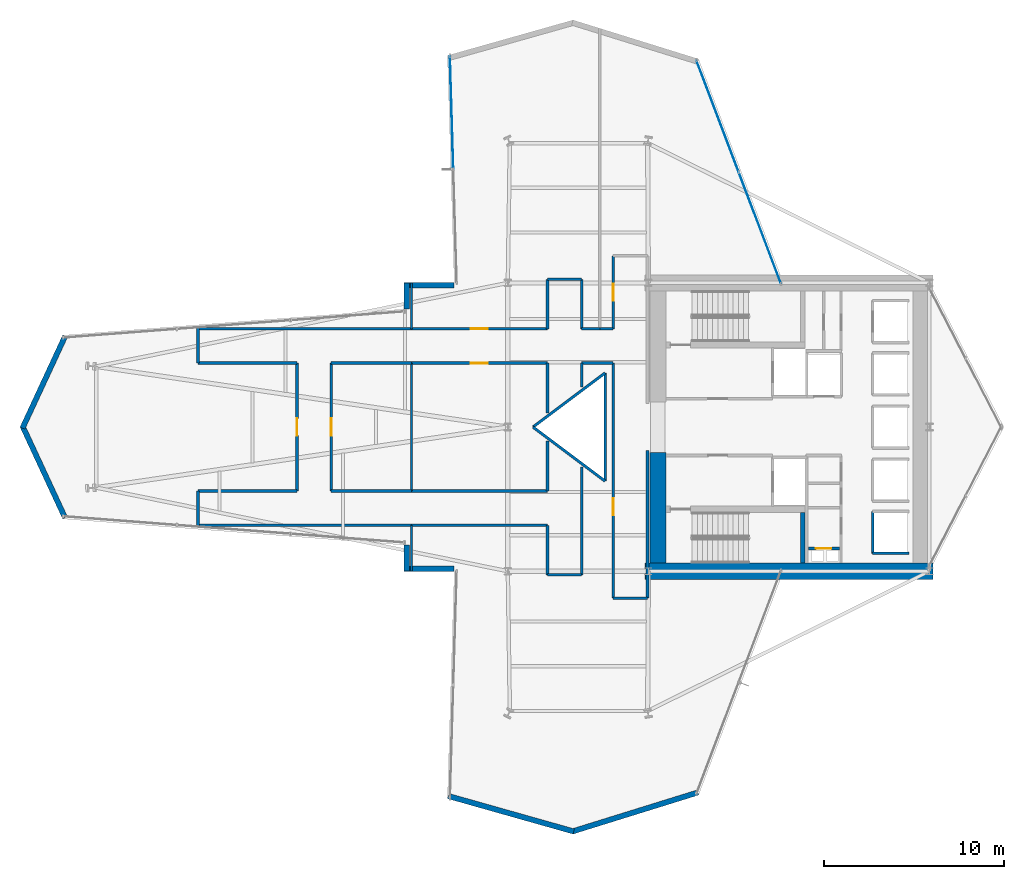
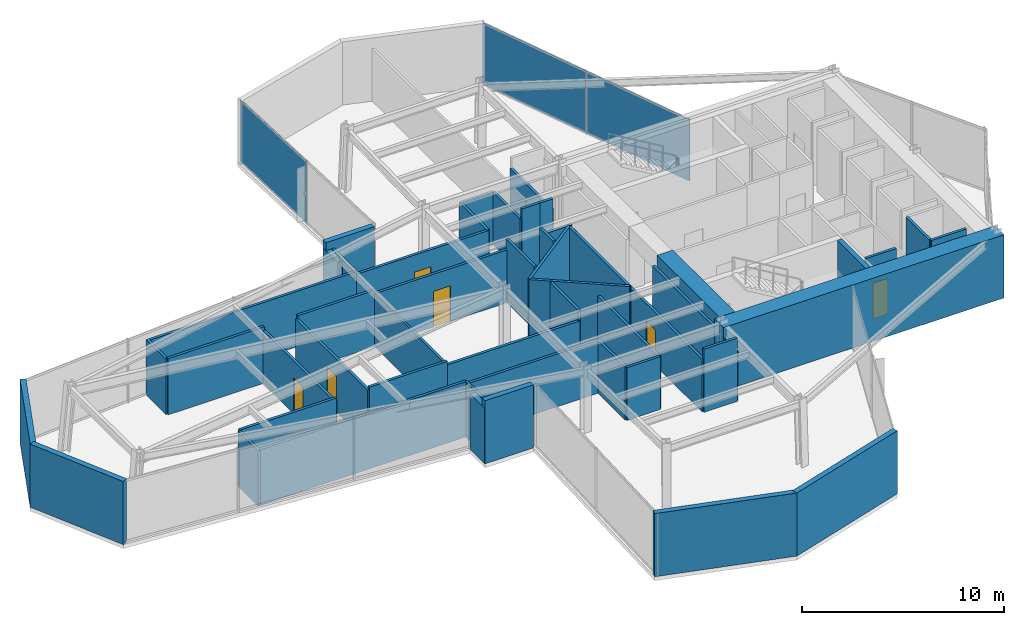
# One storey, part 25 of 28: 50 walls, 7 doors, 3 plates, 7 openings, 2 elements without a shape of their own.
"""IFC4 building model written with IfcOpenShell, lengths in metres."""

import ifcopenshell
import ifcopenshell.guid

model = None  # the IFC model being written
_history = None  # IfcOwnerHistory: only IFC2X3 demands one
_inside = {}  # id of a spatial element -> (the spatial element, [elements in it])
_under = {}  # id of a project, library or spatial element -> (it, [spatial elements below it])
_declared = {}  # id of a project -> (the project, [libraries it declares])
_typed = {}  # id of a type object -> (the type object, [elements of that type])
_made_of = {}  # id of a material, layer set ... -> (it, [elements and type objects made of it])


def new_model(schema):
    """Start an empty IFC model of exactly this schema.

    Asked for "IFC4X3", IfcOpenShell would pick the latest addendum, in which some entities
    have other attributes; the version numbers below select the first issue.
    IFC2X3 requires an IfcOwnerHistory on every rooted entity: one is made here for all.
    """
    global model, _history
    if schema == "IFC4X3":
        model = ifcopenshell.file(schema_version=(4, 3, 0, 0))
    else:
        model = ifcopenshell.file(schema=schema)
    _inside.clear()
    _under.clear()
    _declared.clear()
    _typed.clear()
    _made_of.clear()
    _history = None
    if model.schema == "IFC2X3":
        org = make("IfcOrganization", Name="unknown")
        user = make(
            "IfcPersonAndOrganization",
            ThePerson=make("IfcPerson", FamilyName="unknown"),
            TheOrganization=org,
        )
        app = make(
            "IfcApplication",
            ApplicationDeveloper=org,
            Version="unknown",
            ApplicationFullName="unknown",
            ApplicationIdentifier="unknown",
        )
        _history = make(
            "IfcOwnerHistory",
            OwningUser=user,
            OwningApplication=app,
            ChangeAction="ADDED",
            CreationDate=0,
        )
    return model


def make(cls, **values):
    """One entity of the class cls with the attributes given. An attribute that is None is left unset."""
    return model.create_entity(
        cls, **{name: value for name, value in values.items() if value is not None}
    )


def rooted(cls, **values):
    """An entity with a GlobalId (a new one), such as an element, a storey or a relation."""
    return make(cls, GlobalId=ifcopenshell.guid.new(), OwnerHistory=_history, **values)


def si_unit(unit_type, name, prefix=None):
    """IfcSIUnit, for example si_unit("LENGTHUNIT", "METRE", prefix="MILLI")."""
    return make("IfcSIUnit", UnitType=unit_type, Prefix=prefix, Name=name)


def assignment(units):
    """IfcUnitAssignment: the units of a project."""
    return None if units is None else make("IfcUnitAssignment", Units=units)


def point(xyz):
    """IfcCartesianPoint."""
    return None if xyz is None else make("IfcCartesianPoint", Coordinates=xyz)


def direction(xyz):
    """IfcDirection."""
    return None if xyz is None else make("IfcDirection", DirectionRatios=xyz)


def frame(location, z_axis=None, x_axis=None):
    """IfcAxis2Placement3D, a coordinate frame: its origin and axes. An axis left out is left unset."""
    return make(
        "IfcAxis2Placement3D",
        Location=point(location),
        Axis=direction(z_axis),
        RefDirection=direction(x_axis),
    )


def frame_2d(location, x_axis=None):
    """IfcAxis2Placement2D, a coordinate frame in the plane: its origin and x axis."""
    return make(
        "IfcAxis2Placement2D", Location=point(location), RefDirection=direction(x_axis)
    )


def origin():
    """The frame at (0, 0, 0) with its axes left unset."""
    return frame((0.0, 0.0, 0.0))


def origin_2d():
    """The frame at (0, 0) in the plane with its x axis left unset."""
    return frame_2d((0.0, 0.0))


def place(relative_to, where):
    """IfcLocalPlacement: puts the frame where relative to a parent placement (None: the world)."""
    return make(
        "IfcLocalPlacement", PlacementRelTo=relative_to, RelativePlacement=where
    )


def context(
    kind, dimensions, precision=None, world=None, true_north=None, identifier=None
):
    """IfcGeometricRepresentationContext, for example the 3D "Model" context."""
    return make(
        "IfcGeometricRepresentationContext",
        ContextIdentifier=identifier,
        ContextType=kind,
        CoordinateSpaceDimension=dimensions,
        Precision=precision,
        WorldCoordinateSystem=world,
        TrueNorth=true_north,
    )


def subcontext(parent, identifier, kind, view, scale=None):
    """IfcGeometricRepresentationSubContext, for example "Body" below "Model"."""
    return make(
        "IfcGeometricRepresentationSubContext",
        ContextIdentifier=identifier,
        ContextType=kind,
        ParentContext=parent,
        TargetScale=scale,
        TargetView=view,
    )


def project(units=None, contexts=None):
    """IfcProject with its units and contexts."""
    return rooted(
        "IfcProject",
        Name="project",
        RepresentationContexts=contexts,
        UnitsInContext=assignment(units),
    )


def spatial(cls, under=None, at=None, **own):
    """A site, building, storey or space (cls), placed at a placement, below another one or the project."""
    s = rooted(cls, ObjectPlacement=at, **own)
    if under is not None:
        _under.setdefault(under.id(), (under, []))[1].append(s)
    return s


def profile(cls, at=None, kind="AREA", **sizes):
    """A parametric profile (cls). Its sizes go by their IFC names, for example OverallWidth=200.0."""
    return make(cls, ProfileType=kind, Position=at, **sizes)


def rectangle(**sizes):
    """IfcRectangleProfileDef."""
    return profile("IfcRectangleProfileDef", **sizes)


def extrude(swept, where, along, depth):
    """IfcExtrudedAreaSolid: the profile swept, set in the frame where, extruded along a direction by depth."""
    return make(
        "IfcExtrudedAreaSolid",
        SweptArea=swept,
        Position=where,
        ExtrudedDirection=direction(along),
        Depth=depth,
    )


def shape(context_of_items, identifier, shape_type, items):
    """IfcShapeRepresentation: the items that make up one representation, for example the "Body"."""
    return make(
        "IfcShapeRepresentation",
        ContextOfItems=context_of_items,
        RepresentationIdentifier=identifier,
        RepresentationType=shape_type,
        Items=items,
    )


def material(Name=None, Category=None):
    """IfcMaterial."""
    return make("IfcMaterial", Name=Name, Category=Category)


def layer(
    of_material, thickness, ventilated=None, Name=None, Category=None, Priority=None
):
    """IfcMaterialLayer: one layer of a wall or slab, of a material (None: an air gap)."""
    return make(
        "IfcMaterialLayer",
        Material=of_material,
        LayerThickness=thickness,
        IsVentilated=ventilated,
        Name=Name,
        Category=Category,
        Priority=Priority,
    )


def layer_set(layers, Name=None):
    """IfcMaterialLayerSet."""
    return make("IfcMaterialLayerSet", MaterialLayers=layers, LayerSetName=Name)


def made_of(thing, what):
    """Note that an element or type object is made of a material, layer set ...; save() writes the relation."""
    if what is not None:
        _made_of.setdefault(what.id(), (what, []))[1].append(thing)
    return thing


def type_object(cls, material=None, **own):
    """A type object (cls), such as IfcWallType, which elements share."""
    return made_of(rooted(cls, **own), material)


def element(
    cls,
    number,
    at=None,
    inside=None,
    cuts=None,
    type_object=None,
    material=None,
    context=None,
    identifier="Body",
    shape_type=None,
    held_by="IfcProductDefinitionShape",
    body=None,
    shapes=None,
    **own,
):
    """One element of the class cls, such as IfcWall. Its Tag is "e" and its number.

    at: its placement. inside: the storey or other place that contains it. cuts: it is an
    opening in that element (IfcRelVoidsElement). A single representation is given by context,
    identifier, shape_type and body (its items); several are given by shapes. held_by: the class
    of the entity that holds the representations. save() writes the other relations.
    """
    e = rooted(cls, Tag="e%d" % number, ObjectPlacement=at, **own)
    if body is not None:
        shapes = [shape(context, identifier, shape_type, body)]
    if shapes is not None:
        e.Representation = make(held_by, Representations=shapes)
    if inside is not None:
        _inside.setdefault(inside.id(), (inside, []))[1].append(e)
    if cuts is not None:
        rooted(
            "IfcRelVoidsElement", RelatingBuildingElement=cuts, RelatedOpeningElement=e
        )
    if type_object is not None:
        _typed.setdefault(type_object.id(), (type_object, []))[1].append(e)
    return made_of(e, material)


def fill(opening, filler):
    """IfcRelFillsElement: the door or window that sits in an opening."""
    return rooted(
        "IfcRelFillsElement",
        RelatingOpeningElement=opening,
        RelatedBuildingElement=filler,
    )


def aggregate(whole, parts):
    """IfcRelAggregates: a whole, such as a stair, and the parts it consists of."""
    return rooted("IfcRelAggregates", RelatingObject=whole, RelatedObjects=parts)


def save(model, path):
    """Write the relations noted so far, then the file.

    IfcRelAggregates (storeys below a building ...), IfcRelContainedInSpatialStructure (elements
    in a storey), IfcRelDefinesByType, IfcRelAssociatesMaterial and IfcRelDeclares: one each for
    every whole, place, type object, material and project.
    """
    for whole, parts in _under.values():
        aggregate(whole, parts)
    for where, things in _inside.values():
        rooted(
            "IfcRelContainedInSpatialStructure",
            RelatedElements=things,
            RelatingStructure=where,
        )
    for kind, things in _typed.values():
        rooted("IfcRelDefinesByType", RelatedObjects=things, RelatingType=kind)
    for what, things in _made_of.values():
        rooted("IfcRelAssociatesMaterial", RelatedObjects=things, RelatingMaterial=what)
    for by, libraries in _declared.values():
        rooted("IfcRelDeclares", RelatingContext=by, RelatedDefinitions=libraries)
    model.write(path)


model = new_model("IFC4")

# Units and contexts
model_context = context("Model", 3, precision=1e-05, world=origin(), true_north=direction((0.0, 1.0)))
body_context = subcontext(model_context, "Body", "Model", "MODEL_VIEW")
ifc_project = project(units=[si_unit("LENGTHUNIT", "METRE"), si_unit("AREAUNIT", "SQUARE_METRE"), si_unit("VOLUMEUNIT", "CUBIC_METRE"), si_unit("PLANEANGLEUNIT", "RADIAN"), si_unit("MASSUNIT", "GRAM", prefix="KILO")], contexts=[model_context])

# Site, building, storey
site_placement = place(None, origin())
site = spatial("IfcSite", under=ifc_project, at=site_placement, CompositionType="ELEMENT")
building_placement = place(site_placement, origin())
building = spatial("IfcBuilding", under=site, at=building_placement, Name="Veymaron Broadcast Tower", CompositionType="ELEMENT")
storey_placement = place(building_placement, frame((0.0, 0.0, 45.89990234375)))
storey = spatial("IfcBuildingStorey", under=building, at=storey_placement, Name="L09", CompositionType="ELEMENT", Elevation=45.89990234375)

# Curtain wall, plates
ifc_material_1 = material(Name="Anodised aluminium AA 6063-T6 and laminated low-E dark glass", Category="aluminium")
ifc_layer_1 = layer(ifc_material_1, 0.179931640625)
ifc_layer_set_1 = layer_set([ifc_layer_1], Name="Anodised aluminium AA 6063-T6 and laminated low-E dark glass")
curtain_wall_type = type_object("IfcCurtainWallType", Name="CW-SYS-02", PredefinedType="NOTDEFINED", material=ifc_layer_set_1)
curtain_wall_1_placement = place(storey_placement, origin())
curtain_wall_1 = element("IfcCurtainWall", 1, at=curtain_wall_1_placement, inside=storey, type_object=curtain_wall_type, Name="L09 dark-glass curtain wall CW-L09-E5-1", PredefinedType="NOTDEFINED")
ifc_material_2 = material(Name="Double-silver solar-control dark glass IGU 32 mm", Category="glass")
ifc_layer_2 = layer(ifc_material_2, 0.031982421875)
ifc_layer_set_2 = layer_set([ifc_layer_2], Name="Double-silver solar-control dark glass IGU 32 mm")
plate_type = type_object("IfcPlateType", Name="CW-PNL-02", PredefinedType="CURTAIN_PANEL", material=ifc_layer_set_2)
plate_1_placement = place(storey_placement, frame((45.1904296875, 35.053955078125, 0.0400390625), z_axis=(0.0, 0.0, 1.0), x_axis=(-0.354225752381, 0.935159941588, 0.0)))
plate_1 = element("IfcPlate", 2, at=plate_1_placement, type_object=plate_type, Name="CW-L09-E5-1 unitised curtain panel 0", PredefinedType="CURTAIN_PANEL", context=body_context, shape_type="SweptSolid", body=[
    extrude(rectangle(XDim=6.577392578125, YDim=0.031982421875, at=origin_2d()), origin(), (0.0, 0.0, 1.0), 3.72998046875),
])
plate_2_placement = place(storey_placement, frame((42.83935546875, 41.260986328125, 0.0400390625), z_axis=(0.0, 0.0, 1.0), x_axis=(-0.354225752381, 0.935159941588, 0.0)))
plate_2 = element("IfcPlate", 3, at=plate_2_placement, type_object=plate_type, Name="CW-L09-E5-1 unitised curtain panel 1", PredefinedType="CURTAIN_PANEL", context=body_context, shape_type="SweptSolid", body=[
    extrude(rectangle(XDim=6.577392578125, YDim=0.031982421875, at=origin_2d()), origin(), (0.0, 0.0, 1.0), 3.72998046875),
])
aggregate(curtain_wall_1, [plate_1, plate_2])

# Curtain wall, plate
curtain_wall_2_placement = place(storey_placement, origin())
curtain_wall_2 = element("IfcCurtainWall", 4, at=curtain_wall_2_placement, inside=storey, type_object=curtain_wall_type, Name="L09 dark-glass curtain wall CW-L09-E8-1", PredefinedType="NOTDEFINED")
plate_3_placement = place(storey_placement, frame((28.081298828125, 41.46240234375, 0.0400390625), z_axis=(0.0, 0.0, 1.0), x_axis=(0.029858145254, -0.999554146188, 0.0)))
plate_3 = element("IfcPlate", 5, at=plate_3_placement, type_object=plate_type, Name="CW-L09-E8-1 unitised curtain panel 0", PredefinedType="CURTAIN_PANEL", context=body_context, shape_type="SweptSolid", body=[
    extrude(rectangle(XDim=6.248291015625, YDim=0.031982421875, at=origin_2d()), origin(), (0.0, 0.0, 1.0), 3.72998046875),
])
aggregate(curtain_wall_2, [plate_3])

# Walls
ifc_material_3 = material(Name="Precast concrete C40/50 with mineral-wool insulation", Category="concrete")
ifc_layer_3 = layer(ifc_material_3, 0.300048828125)
ifc_layer_set_3 = layer_set([ifc_layer_3], Name="Precast concrete C40/50 with mineral-wool insulation")
wall_type_1 = type_object("IfcWallType", Name="WALL-EXT-300", PredefinedType="STANDARD", material=ifc_layer_set_3)
wall_1_placement = place(storey_placement, frame((28.22412109375, 31.860107421875, 0.0), z_axis=(0.0, 0.0, 1.0), x_axis=(-1.0, 0.0, 0.0)))
element("IfcWall", 6, at=wall_1_placement, inside=storey, type_object=wall_type_1, Name="L09 notched corner facade pier 9-1", PredefinedType="STANDARD", context=body_context, shape_type="SweptSolid", body=[
    extrude(rectangle(XDim=2.776123046875, YDim=0.300048828125, at=frame_2d((1.38818359375, 0.0))), origin(), (0.0, 0.0, 1.0), 3.81005859375),
])
wall_2_placement = place(storey_placement, frame((25.587890625, 32.0, 0.0), z_axis=(0.0, 0.0, 1.0), x_axis=(0.0, -1.0, 0.0)))
element("IfcWall", 7, at=wall_2_placement, inside=storey, type_object=wall_type_1, Name="L09 notched corner facade pier 10-1", PredefinedType="STANDARD", context=body_context, shape_type="SweptSolid", body=[
    extrude(rectangle(XDim=1.4482421875, YDim=0.300048828125, at=frame_2d((0.72412109375, 0.0))), origin(), (0.0, 0.0, 1.0), 3.338134765625),
])
for number, where, z_axis, x_axis, name in (
    (8, (6.626953125, 29.037109375, 0.0), (0.0, 0.0, 1.0), (-0.420823983626, -0.907142312322, 0.0), "L09 notched corner facade pier 12-1"),
    (9, (4.262939453125, 24.058837890625, 0.0), (0.0, 0.0, 1.0), (0.420823983626, -0.907142312322, 0.0), "L09 notched corner facade pier 13-1"),
):
    element("IfcWall", number, at=place(storey_placement, frame(where, z_axis=z_axis, x_axis=x_axis)), inside=storey, type_object=wall_type_1, Name=name, PredefinedType="STANDARD", context=body_context, shape_type="SweptSolid", body=[
        extrude(rectangle(XDim=5.61767578125, YDim=0.300048828125, at=frame_2d((2.808837890625, 0.0))), origin(), (0.0, 0.0, 1.0), 3.81005859375),
    ])
wall_3_placement = place(storey_placement, frame((25.587890625, 17.4482421875, 0.0), z_axis=(0.0, 0.0, 1.0), x_axis=(0.0, -1.0, 0.0)))
element("IfcWall", 10, at=wall_3_placement, inside=storey, type_object=wall_type_1, Name="L09 notched corner facade pier 15-1", PredefinedType="STANDARD", context=body_context, shape_type="SweptSolid", body=[
    extrude(rectangle(XDim=1.4482421875, YDim=0.300048828125, at=frame_2d((0.72412109375, 0.0))), origin(), (0.0, 0.0, 1.0), 3.338134765625),
])
wall_4_placement = place(storey_placement, frame((25.447998046875, 16.139892578125, 0.0), z_axis=(0.0, 0.0, 1.0), x_axis=(1.0, 0.0, 0.0)))
element("IfcWall", 11, at=wall_4_placement, inside=storey, type_object=wall_type_1, Name="L09 notched corner facade pier 16-1", PredefinedType="STANDARD", context=body_context, shape_type="SweptSolid", body=[
    extrude(rectangle(XDim=2.776123046875, YDim=0.300048828125, at=frame_2d((1.38818359375, 0.0))), origin(), (0.0, 0.0, 1.0), 3.81005859375),
])
wall_5_placement = place(storey_placement, frame((27.885498046875, 3.523681640625, 0.0), z_axis=(0.0, 0.0, 1.0), x_axis=(0.962339681863, -0.271849842212, 0.0)))
element("IfcWall", 12, at=wall_5_placement, inside=storey, type_object=wall_type_1, Name="L09 notched corner facade pier 18-1", PredefinedType="STANDARD", context=body_context, shape_type="SweptSolid", body=[
    extrude(rectangle(XDim=7.24658203125, YDim=0.300048828125, at=frame_2d((3.623291015625, 0.0))), origin(), (0.0, 0.0, 1.0), 3.81005859375),
])
wall_6_placement = place(storey_placement, frame((34.779541015625, 1.552734375, 0.0), z_axis=(0.0, 0.0, 1.0), x_axis=(0.954957033511, 0.296744105498, 0.0)))
element("IfcWall", 13, at=wall_6_placement, inside=storey, type_object=wall_type_1, Name="L09 notched corner facade pier 19-1", PredefinedType="STANDARD", context=body_context, shape_type="SweptSolid", body=[
    extrude(rectangle(XDim=7.302490234375, YDim=0.300048828125, at=frame_2d((3.6513671875, 0.0))), origin(), (0.0, 0.0, 1.0), 3.81005859375),
])
ifc_material_4 = material(Name="Gypsum fireboard and steel stud framing", Category="steel")
ifc_layer_4 = layer(ifc_material_4, 0.14990234375)
ifc_layer_set_4 = layer_set([ifc_layer_4], Name="Gypsum fireboard and steel stud framing")
wall_type_2 = type_object("IfcWallType", Name="WALL-FIRE-150", PredefinedType="PARTITIONING", material=ifc_layer_set_4)
wall_7_placement = place(storey_placement, frame((51.445068359375, 16.989990234375, 0.0), z_axis=(0.0, 0.0, 1.0), x_axis=(0.0, 1.0, 0.0)))
element("IfcWall", 14, at=wall_7_placement, inside=storey, type_object=wall_type_2, Name="L09 partition IW-L09-SHW-PH1", PredefinedType="PARTITIONING", context=body_context, shape_type="SweptSolid", body=[
    extrude(rectangle(XDim=2.320068359375, YDim=0.14990234375, at=frame_2d((1.16015625, 0.0))), origin(), (0.0, 0.0, 1.0), 3.81005859375),
])
wall_8_placement = place(storey_placement, frame((51.445068359375, 16.989990234375, 0.0), z_axis=(0.0, 0.0, 1.0), x_axis=(1.0, 0.0, 0.0)))
element("IfcWall", 15, at=wall_8_placement, inside=storey, type_object=wall_type_2, Name="L09 partition IW-L09-SHS-PH1", PredefinedType="PARTITIONING", context=body_context, shape_type="SweptSolid", body=[
    extrude(rectangle(XDim=2.014892578125, YDim=0.14990234375, at=frame_2d((1.00732421875, 0.0))), origin(), (0.0, 0.0, 1.0), 3.81005859375),
])

# Wall, opening, door
wall_9_placement = place(storey_placement, frame((47.8798828125, 17.260009765625, 0.0), z_axis=(0.0, 0.0, 1.0), x_axis=(1.0, 0.0, 0.0)))
wall_9 = element("IfcWall", 16, at=wall_9_placement, inside=storey, type_object=wall_type_2, Name="L09 partition IW-L09-RIS-N", PredefinedType="PARTITIONING", context=body_context, shape_type="SweptSolid", body=[
    extrude(rectangle(XDim=1.72021484375, YDim=0.14990234375, at=frame_2d((0.860107421875, 0.0))), origin(), (0.0, 0.0, 1.0), 3.81005859375),
])
opening_1_placement = place(wall_9_placement, frame((0.419921875, 0.0, 0.0)))
opening_1 = element("IfcOpeningElement", 17, at=opening_1_placement, cuts=wall_9, Name="Opening ID-RS1", PredefinedType="OPENING", context=body_context, shape_type="SweptSolid", body=[
    extrude(rectangle(XDim=0.85009765625, YDim=2.14990234375, at=frame_2d((0.425048828125, 1.074951171875))), frame((0.0, 0.0849609375, 0.0), z_axis=(0.0, -1.0, 0.0), x_axis=(1.0, 0.0, 0.0)), (0.0, 0.0, 1.0), 0.169921875),
])
ifc_material_5 = material(Name="Fire-rated powder-coated steel riser leaf", Category="steel")
door_type_1 = type_object("IfcDoorType", Name="DOOR-RIS-850", OperationType="NOTDEFINED", PredefinedType="TRAPDOOR", material=ifc_material_5)
door_1_placement = place(opening_1_placement, origin())
door_1 = element("IfcDoor", 18, at=door_1_placement, inside=storey, type_object=door_type_1, Name="L09 door DR-L09-RIS", OperationType="SINGLE_SWING_LEFT", OverallHeight=2.14990234375, OverallWidth=0.85009765625, PredefinedType="TRAPDOOR", context=body_context, shape_type="SweptSolid", body=[
    extrude(rectangle(XDim=0.85009765625, YDim=2.14990234375, at=frame_2d((0.425048828125, 1.074951171875))), frame((0.0, 0.02490234375, 0.0), z_axis=(0.0, -1.0, 0.0), x_axis=(1.0, 0.0, 0.0)), (0.0, 0.0, 1.0), 0.050048828125),
])
fill(opening_1, door_1)

wall_10_placement = place(storey_placement, frame((37.050048828125, 14.5, 0.0), z_axis=(0.0, 0.0, 1.0), x_axis=(0.0, 1.0, 0.0)))
wall_10 = element("IfcWall", 19, at=wall_10_placement, inside=storey, type_object=wall_type_2, Name="L09 partition IW-L09-P01", PredefinedType="PARTITIONING", context=body_context, shape_type="SweptSolid", body=[
    extrude(rectangle(XDim=13.050048828125, YDim=0.14990234375, at=frame_2d((6.52490234375, 0.0))), origin(), (0.0, 0.0, 1.0), 3.18115234375),
])
opening_2_placement = place(wall_10_placement, frame((4.610107421875, 0.0, 0.0)))
opening_2 = element("IfcOpeningElement", 20, at=opening_2_placement, cuts=wall_10, Name="Opening ID-RM1", PredefinedType="OPENING", context=body_context, shape_type="SweptSolid", body=[
    extrude(rectangle(XDim=0.949951171875, YDim=2.14990234375, at=frame_2d((0.47509765625, 1.074951171875))), frame((0.0, 0.0849609375, 0.0), z_axis=(0.0, -1.0, 0.0), x_axis=(1.0, 0.0, 0.0)), (0.0, 0.0, 1.0), 0.169921875),
])
ifc_material_6 = material(Name="Acoustic solid-core European oak veneer timber", Category="wood")
door_type_2 = type_object("IfcDoorType", Name="DOOR-INT-950", OperationType="NOTDEFINED", PredefinedType="DOOR", material=ifc_material_6)
door_2_placement = place(opening_2_placement, frame((0.949951171875, 0.0, 0.0), z_axis=(0.0, 0.0, 1.0), x_axis=(-1.0, 0.0, 0.0)))
door_2 = element("IfcDoor", 21, at=door_2_placement, inside=storey, type_object=door_type_2, Name="L09 door DR-L09-P01", OperationType="SINGLE_SWING_RIGHT", OverallHeight=2.14990234375, OverallWidth=0.949951171875, PredefinedType="DOOR", context=body_context, shape_type="SweptSolid", body=[
    extrude(rectangle(XDim=0.949951171875, YDim=2.14990234375, at=frame_2d((0.47509765625, 1.074951171875))), frame((0.0, 0.02490234375, 0.0), z_axis=(0.0, -1.0, 0.0), x_axis=(1.0, 0.0, 0.0)), (0.0, 0.0, 1.0), 0.050048828125),
])
fill(opening_2, door_2)

wall_11_placement = place(storey_placement, frame((19.5, 20.449951171875, 0.0), z_axis=(0.0, 0.0, 1.0), x_axis=(0.0, 1.0, 0.0)))
wall_11 = element("IfcWall", 22, at=wall_11_placement, inside=storey, type_object=wall_type_2, Name="L09 partition IW-L09-P12", PredefinedType="PARTITIONING", context=body_context, shape_type="SweptSolid", body=[
    extrude(rectangle(XDim=7.10009765625, YDim=0.14990234375, at=frame_2d((3.550048828125, 0.0))), origin(), (0.0, 0.0, 1.0), 3.18115234375),
])
opening_3_placement = place(wall_11_placement, frame((3.074951171875, 0.0, 0.0)))
opening_3 = element("IfcOpeningElement", 23, at=opening_3_placement, cuts=wall_11, Name="Opening ID-RM1", PredefinedType="OPENING", context=body_context, shape_type="SweptSolid", body=[
    extrude(rectangle(XDim=0.949951171875, YDim=2.14990234375, at=frame_2d((0.47509765625, 1.074951171875))), frame((0.0, 0.0849609375, 0.0), z_axis=(0.0, -1.0, 0.0), x_axis=(1.0, 0.0, 0.0)), (0.0, 0.0, 1.0), 0.169921875),
])
door_3_placement = place(opening_3_placement, origin())
door_3 = element("IfcDoor", 24, at=door_3_placement, inside=storey, type_object=door_type_2, Name="L09 door DR-L09-P12", OperationType="SINGLE_SWING_LEFT", OverallHeight=2.14990234375, OverallWidth=0.949951171875, PredefinedType="DOOR", context=body_context, shape_type="SweptSolid", body=[
    extrude(rectangle(XDim=0.949951171875, YDim=2.14990234375, at=frame_2d((0.47509765625, 1.074951171875))), frame((0.0, 0.02490234375, 0.0), z_axis=(0.0, -1.0, 0.0), x_axis=(1.0, 0.0, 0.0)), (0.0, 0.0, 1.0), 0.050048828125),
])
fill(opening_3, door_3)

wall_12_placement = place(storey_placement, frame((21.39990234375, 20.449951171875, 0.0), z_axis=(0.0, 0.0, 1.0), x_axis=(0.0, 1.0, 0.0)))
wall_12 = element("IfcWall", 25, at=wall_12_placement, inside=storey, type_object=wall_type_2, Name="L09 partition IW-L09-P17", PredefinedType="PARTITIONING", context=body_context, shape_type="SweptSolid", body=[
    extrude(rectangle(XDim=7.10009765625, YDim=0.14990234375, at=frame_2d((3.550048828125, 0.0))), origin(), (0.0, 0.0, 1.0), 3.18115234375),
])
opening_4_placement = place(wall_12_placement, frame((3.074951171875, 0.0, 0.0)))
opening_4 = element("IfcOpeningElement", 26, at=opening_4_placement, cuts=wall_12, Name="Opening ID-RM1", PredefinedType="OPENING", context=body_context, shape_type="SweptSolid", body=[
    extrude(rectangle(XDim=0.949951171875, YDim=2.14990234375, at=frame_2d((0.47509765625, 1.074951171875))), frame((0.0, 0.0849609375, 0.0), z_axis=(0.0, -1.0, 0.0), x_axis=(1.0, 0.0, 0.0)), (0.0, 0.0, 1.0), 0.169921875),
])
door_4_placement = place(opening_4_placement, frame((0.949951171875, 0.0, 0.0), z_axis=(0.0, 0.0, 1.0), x_axis=(-1.0, 0.0, 0.0)))
door_4 = element("IfcDoor", 27, at=door_4_placement, inside=storey, type_object=door_type_2, Name="L09 door DR-L09-P17", OperationType="SINGLE_SWING_RIGHT", OverallHeight=2.14990234375, OverallWidth=0.949951171875, PredefinedType="DOOR", context=body_context, shape_type="SweptSolid", body=[
    extrude(rectangle(XDim=0.949951171875, YDim=2.14990234375, at=frame_2d((0.47509765625, 1.074951171875))), frame((0.0, 0.02490234375, 0.0), z_axis=(0.0, -1.0, 0.0), x_axis=(1.0, 0.0, 0.0)), (0.0, 0.0, 1.0), 0.050048828125),
])
fill(opening_4, door_4)

wall_13_placement = place(storey_placement, frame((25.84912109375, 27.550048828125, 0.0), z_axis=(0.0, 0.0, 1.0), x_axis=(1.0, 0.0, 0.0)))
wall_13 = element("IfcWall", 28, at=wall_13_placement, inside=storey, type_object=wall_type_2, Name="L09 partition IW-L09-P20", PredefinedType="PARTITIONING", context=body_context, shape_type="SweptSolid", body=[
    extrude(rectangle(XDim=7.55078125, YDim=0.14990234375, at=frame_2d((3.775390625, 0.0))), origin(), (0.0, 0.0, 1.0), 3.18115234375),
])
opening_5_placement = place(wall_13_placement, frame((3.300537109375, 0.0, 0.0)))
opening_5 = element("IfcOpeningElement", 29, at=opening_5_placement, cuts=wall_13, Name="Opening ID-RM1", PredefinedType="OPENING", context=body_context, shape_type="SweptSolid", body=[
    extrude(rectangle(XDim=0.949951171875, YDim=2.14990234375, at=frame_2d((0.47509765625, 1.074951171875))), frame((0.0, 0.0849609375, 0.0), z_axis=(0.0, -1.0, 0.0), x_axis=(1.0, 0.0, 0.0)), (0.0, 0.0, 1.0), 0.169921875),
])
door_5_placement = place(opening_5_placement, frame((0.949951171875, 0.0, 0.0), z_axis=(0.0, 0.0, 1.0), x_axis=(-1.0, 0.0, 0.0)))
door_5 = element("IfcDoor", 30, at=door_5_placement, inside=storey, type_object=door_type_2, Name="L09 door DR-L09-P20", OperationType="SINGLE_SWING_LEFT", OverallHeight=2.14990234375, OverallWidth=0.949951171875, PredefinedType="DOOR", context=body_context, shape_type="SweptSolid", body=[
    extrude(rectangle(XDim=0.949951171875, YDim=2.14990234375, at=frame_2d((0.47509765625, 1.074951171875))), frame((0.0, 0.02490234375, 0.0), z_axis=(0.0, -1.0, 0.0), x_axis=(1.0, 0.0, 0.0)), (0.0, 0.0, 1.0), 0.050048828125),
])
fill(opening_5, door_5)

wall_14_placement = place(storey_placement, frame((25.84912109375, 29.449951171875, 0.0), z_axis=(0.0, 0.0, 1.0), x_axis=(1.0, 0.0, 0.0)))
wall_14 = element("IfcWall", 31, at=wall_14_placement, inside=storey, type_object=wall_type_2, Name="L09 partition IW-L09-P24", PredefinedType="PARTITIONING", context=body_context, shape_type="SweptSolid", body=[
    extrude(rectangle(XDim=7.55078125, YDim=0.14990234375, at=frame_2d((3.775390625, 0.0))), origin(), (0.0, 0.0, 1.0), 3.18115234375),
])
opening_6_placement = place(wall_14_placement, frame((3.300537109375, 0.0, 0.0)))
opening_6 = element("IfcOpeningElement", 32, at=opening_6_placement, cuts=wall_14, Name="Opening ID-RM1", PredefinedType="OPENING", context=body_context, shape_type="SweptSolid", body=[
    extrude(rectangle(XDim=0.949951171875, YDim=2.14990234375, at=frame_2d((0.47509765625, 1.074951171875))), frame((0.0, 0.0849609375, 0.0), z_axis=(0.0, -1.0, 0.0), x_axis=(1.0, 0.0, 0.0)), (0.0, 0.0, 1.0), 0.169921875),
])
door_6_placement = place(opening_6_placement, origin())
door_6 = element("IfcDoor", 33, at=door_6_placement, inside=storey, type_object=door_type_2, Name="L09 door DR-L09-P24", OperationType="SINGLE_SWING_LEFT", OverallHeight=2.14990234375, OverallWidth=0.949951171875, PredefinedType="DOOR", context=body_context, shape_type="SweptSolid", body=[
    extrude(rectangle(XDim=0.949951171875, YDim=2.14990234375, at=frame_2d((0.47509765625, 1.074951171875))), frame((0.0, 0.02490234375, 0.0), z_axis=(0.0, -1.0, 0.0), x_axis=(1.0, 0.0, 0.0)), (0.0, 0.0, 1.0), 0.050048828125),
])
fill(opening_6, door_6)

wall_15_placement = place(storey_placement, frame((37.050048828125, 29.449951171875, 0.0), z_axis=(0.0, 0.0, 1.0), x_axis=(0.0, 1.0, 0.0)))
wall_15 = element("IfcWall", 34, at=wall_15_placement, inside=storey, type_object=wall_type_2, Name="L09 partition IW-L09-P30", PredefinedType="PARTITIONING", context=body_context, shape_type="SweptSolid", body=[
    extrude(rectangle(XDim=4.050048828125, YDim=0.14990234375, at=frame_2d((2.02490234375, 0.0))), origin(), (0.0, 0.0, 1.0), 3.18115234375),
])
opening_7_placement = place(wall_15_placement, frame((1.550048828125, 0.0, 0.0)))
opening_7 = element("IfcOpeningElement", 35, at=opening_7_placement, cuts=wall_15, Name="Opening ID-RM1", PredefinedType="OPENING", context=body_context, shape_type="SweptSolid", body=[
    extrude(rectangle(XDim=0.949951171875, YDim=2.14990234375, at=frame_2d((0.47509765625, 1.074951171875))), frame((0.0, 0.0849609375, 0.0), z_axis=(0.0, -1.0, 0.0), x_axis=(1.0, 0.0, 0.0)), (0.0, 0.0, 1.0), 0.169921875),
])
door_7_placement = place(opening_7_placement, origin())
door_7 = element("IfcDoor", 36, at=door_7_placement, inside=storey, type_object=door_type_2, Name="L09 door DR-L09-P30", OperationType="SINGLE_SWING_LEFT", OverallHeight=2.14990234375, OverallWidth=0.949951171875, PredefinedType="DOOR", context=body_context, shape_type="SweptSolid", body=[
    extrude(rectangle(XDim=0.949951171875, YDim=2.14990234375, at=frame_2d((0.47509765625, 1.074951171875))), frame((0.0, 0.02490234375, 0.0), z_axis=(0.0, -1.0, 0.0), x_axis=(1.0, 0.0, 0.0)), (0.0, 0.0, 1.0), 0.050048828125),
])
fill(opening_7, door_7)

# Walls
wall_16_placement = place(storey_placement, frame((38.949951171875, 14.5, 0.0), z_axis=(0.0, 0.0, 1.0), x_axis=(0.0, 1.0, 0.0)))
element("IfcWall", 37, at=wall_16_placement, inside=storey, type_object=wall_type_2, Name="L09 partition IW-L09-P02", PredefinedType="PARTITIONING", context=body_context, shape_type="SweptSolid", body=[
    extrude(rectangle(XDim=8.199951171875, YDim=0.14990234375, at=frame_2d((4.10009765625, 0.0))), origin(), (0.0, 0.0, 1.0), 3.18115234375),
])
wall_17_placement = place(storey_placement, frame((25.84912109375, 18.550048828125, 0.0), z_axis=(0.0, 0.0, 1.0), x_axis=(1.0, 0.0, 0.0)))
element("IfcWall", 38, at=wall_17_placement, inside=storey, type_object=wall_type_2, Name="L09 partition IW-L09-P03", PredefinedType="PARTITIONING", context=body_context, shape_type="SweptSolid", body=[
    extrude(rectangle(XDim=7.55078125, YDim=0.14990234375, at=frame_2d((3.775390625, 0.0))), origin(), (0.0, 0.0, 1.0), 3.18115234375),
])
wall_18_placement = place(storey_placement, frame((35.300048828125, 15.800048828125, 0.0), z_axis=(0.0, 0.0, 1.0), x_axis=(0.0, 1.0, 0.0)))
element("IfcWall", 39, at=wall_18_placement, inside=storey, type_object=wall_type_2, Name="L09 partition IW-L09-P04", PredefinedType="PARTITIONING", context=body_context, shape_type="SweptSolid", body=[
    extrude(rectangle(XDim=5.987548828125, YDim=0.14990234375, at=frame_2d((2.99365234375, 0.0))), origin(), (0.0, 0.0, 1.0), 3.18115234375),
])
wall_19_placement = place(storey_placement, frame((33.39990234375, 15.800048828125, 0.0), z_axis=(0.0, 0.0, 1.0), x_axis=(0.0, 1.0, 0.0)))
element("IfcWall", 40, at=wall_19_placement, inside=storey, type_object=wall_type_2, Name="L09 partition IW-L09-P05", PredefinedType="PARTITIONING", context=body_context, shape_type="SweptSolid", body=[
    extrude(rectangle(XDim=2.75, YDim=0.14990234375, at=frame_2d((1.375, 0.0))), origin(), (0.0, 0.0, 1.0), 3.18115234375),
])
wall_20_placement = place(storey_placement, frame((37.050048828125, 14.5, 0.0), z_axis=(0.0, 0.0, 1.0), x_axis=(1.0, 0.0, 0.0)))
element("IfcWall", 41, at=wall_20_placement, inside=storey, type_object=wall_type_2, Name="L09 partition IW-L09-P06", PredefinedType="PARTITIONING", context=body_context, shape_type="SweptSolid", body=[
    extrude(rectangle(XDim=1.89990234375, YDim=0.14990234375, at=frame_2d((0.949951171875, 0.0))), origin(), (0.0, 0.0, 1.0), 3.81005859375),
])
wall_21_placement = place(storey_placement, frame((33.39990234375, 15.800048828125, 0.0), z_axis=(0.0, 0.0, 1.0), x_axis=(1.0, 0.0, 0.0)))
element("IfcWall", 42, at=wall_21_placement, inside=storey, type_object=wall_type_2, Name="L09 partition IW-L09-P07", PredefinedType="PARTITIONING", context=body_context, shape_type="SweptSolid", body=[
    extrude(rectangle(XDim=1.900146484375, YDim=0.14990234375, at=frame_2d((0.9501953125, 0.0))), origin(), (0.0, 0.0, 1.0), 3.18115234375),
])
wall_22_placement = place(storey_placement, frame((35.300048828125, 27.550048828125, 0.0), z_axis=(0.0, 0.0, 1.0), x_axis=(1.0, 0.0, 0.0)))
element("IfcWall", 43, at=wall_22_placement, inside=storey, type_object=wall_type_2, Name="L09 partition IW-L09-P08", PredefinedType="PARTITIONING", context=body_context, shape_type="SweptSolid", body=[
    extrude(rectangle(XDim=1.75, YDim=0.14990234375, at=frame_2d((0.875, 0.0))), origin(), (0.0, 0.0, 1.0), 3.39111328125),
])
wall_23_placement = place(storey_placement, frame((35.300048828125, 26.21240234375, 0.0), z_axis=(0.0, 0.0, 1.0), x_axis=(0.0, 1.0, 0.0)))
element("IfcWall", 44, at=wall_23_placement, inside=storey, type_object=wall_type_2, Name="L09 partition IW-L09-P09", PredefinedType="PARTITIONING", context=body_context, shape_type="SweptSolid", body=[
    extrude(rectangle(XDim=1.337646484375, YDim=0.14990234375, at=frame_2d((0.6689453125, 0.0))), origin(), (0.0, 0.0, 1.0), 3.81005859375),
])
for number, where, z_axis, x_axis, name in (
    (45, (14.0, 18.550048828125, 0.0), (0.0, 0.0, 1.0), (1.0, 0.0, 0.0), "L09 partition IW-L09-P10"),
    (46, (14.0, 29.449951171875, 0.0), (0.0, 0.0, 1.0), (1.0, 0.0, 0.0), "L09 partition IW-L09-P11"),
):
    element("IfcWall", number, at=place(storey_placement, frame(where, z_axis=z_axis, x_axis=x_axis)), inside=storey, type_object=wall_type_2, Name=name, PredefinedType="PARTITIONING", context=body_context, shape_type="SweptSolid", body=[
        extrude(rectangle(XDim=11.84912109375, YDim=0.14990234375, at=frame_2d((5.924560546875, 0.0))), origin(), (0.0, 0.0, 1.0), 3.338134765625),
    ])
for number, where, z_axis, x_axis, name in (
    (47, (14.0, 20.449951171875, 0.0), (0.0, 0.0, 1.0), (1.0, 0.0, 0.0), "L09 partition IW-L09-P13"),
    (48, (14.0, 27.550048828125, 0.0), (0.0, 0.0, 1.0), (1.0, 0.0, 0.0), "L09 partition IW-L09-P14"),
):
    element("IfcWall", number, at=place(storey_placement, frame(where, z_axis=z_axis, x_axis=x_axis)), inside=storey, type_object=wall_type_2, Name=name, PredefinedType="PARTITIONING", context=body_context, shape_type="SweptSolid", body=[
        extrude(rectangle(XDim=5.5, YDim=0.14990234375, at=frame_2d((2.75, 0.0))), origin(), (0.0, 0.0, 1.0), 3.39111328125),
    ])
for number, where, z_axis, x_axis, name in (
    (49, (14.0, 18.4677734375, 0.0), (0.0, 0.0, 1.0), (0.0, 1.0, 0.0), "L09 partition IW-L09-P15"),
    (50, (14.0, 27.550048828125, 0.0), (0.0, 0.0, 1.0), (0.0, 1.0, 0.0), "L09 partition IW-L09-P16"),
):
    element("IfcWall", number, at=place(storey_placement, frame(where, z_axis=z_axis, x_axis=x_axis)), inside=storey, type_object=wall_type_2, Name=name, PredefinedType="PARTITIONING", context=body_context, shape_type="SweptSolid", body=[
        extrude(rectangle(XDim=1.982177734375, YDim=0.14990234375, at=frame_2d((0.9912109375, 0.0))), origin(), (0.0, 0.0, 1.0), 3.338134765625),
    ])
for number, where, z_axis, x_axis, name in (
    (51, (21.39990234375, 27.550048828125, 0.0), (0.0, 0.0, 1.0), (1.0, 0.0, 0.0), "L09 partition IW-L09-P18"),
    (52, (21.39990234375, 20.449951171875, 0.0), (0.0, 0.0, 1.0), (1.0, 0.0, 0.0), "L09 partition IW-L09-P19"),
):
    element("IfcWall", number, at=place(storey_placement, frame(where, z_axis=z_axis, x_axis=x_axis)), inside=storey, type_object=wall_type_2, Name=name, PredefinedType="PARTITIONING", context=body_context, shape_type="SweptSolid", body=[
        extrude(rectangle(XDim=4.44921875, YDim=0.14990234375, at=frame_2d((2.224609375, 0.0))), origin(), (0.0, 0.0, 1.0), 3.39111328125),
    ])
wall_24_placement = place(storey_placement, frame((25.84912109375, 20.449951171875, 0.0), z_axis=(0.0, 0.0, 1.0), x_axis=(1.0, 0.0, 0.0)))
element("IfcWall", 53, at=wall_24_placement, inside=storey, type_object=wall_type_2, Name="L09 partition IW-L09-P21", PredefinedType="PARTITIONING", context=body_context, shape_type="SweptSolid", body=[
    extrude(rectangle(XDim=7.55078125, YDim=0.14990234375, at=frame_2d((3.775390625, 0.0))), origin(), (0.0, 0.0, 1.0), 3.18115234375),
])
for number, where, z_axis, x_axis, name in (
    (54, (33.39990234375, 24.78759765625, 0.0), (0.0, 0.0, 1.0), (0.0, 1.0, 0.0), "L09 partition IW-L09-P22"),
    (55, (33.39990234375, 20.449951171875, 0.0), (0.0, 0.0, 1.0), (0.0, 1.0, 0.0), "L09 partition IW-L09-P23"),
):
    element("IfcWall", number, at=place(storey_placement, frame(where, z_axis=z_axis, x_axis=x_axis)), inside=storey, type_object=wall_type_2, Name=name, PredefinedType="PARTITIONING", context=body_context, shape_type="SweptSolid", body=[
        extrude(rectangle(XDim=2.762451171875, YDim=0.14990234375, at=frame_2d((1.38134765625, 0.0))), origin(), (0.0, 0.0, 1.0), 3.81005859375),
    ])
for number, where, z_axis, x_axis, name in (
    (56, (33.39990234375, 29.449951171875, 0.0), (0.0, 0.0, 1.0), (0.0, 1.0, 0.0), "L09 partition IW-L09-P25"),
    (57, (35.300048828125, 29.449951171875, 0.0), (0.0, 0.0, 1.0), (0.0, 1.0, 0.0), "L09 partition IW-L09-P26"),
):
    element("IfcWall", number, at=place(storey_placement, frame(where, z_axis=z_axis, x_axis=x_axis)), inside=storey, type_object=wall_type_2, Name=name, PredefinedType="PARTITIONING", context=body_context, shape_type="SweptSolid", body=[
        extrude(rectangle(XDim=2.75, YDim=0.14990234375, at=frame_2d((1.375, 0.0))), origin(), (0.0, 0.0, 1.0), 3.18115234375),
    ])
wall_25_placement = place(storey_placement, frame((33.39990234375, 32.199951171875, 0.0), z_axis=(0.0, 0.0, 1.0), x_axis=(1.0, 0.0, 0.0)))
element("IfcWall", 58, at=wall_25_placement, inside=storey, type_object=wall_type_2, Name="L09 partition IW-L09-P27", PredefinedType="PARTITIONING", context=body_context, shape_type="SweptSolid", body=[
    extrude(rectangle(XDim=1.900146484375, YDim=0.14990234375, at=frame_2d((0.9501953125, 0.0))), origin(), (0.0, 0.0, 1.0), 3.18115234375),
])
wall_26_placement = place(storey_placement, frame((35.300048828125, 29.449951171875, 0.0), z_axis=(0.0, 0.0, 1.0), x_axis=(1.0, 0.0, 0.0)))
element("IfcWall", 59, at=wall_26_placement, inside=storey, type_object=wall_type_2, Name="L09 partition IW-L09-P28", PredefinedType="PARTITIONING", context=body_context, shape_type="SweptSolid", body=[
    extrude(rectangle(XDim=1.00390625, YDim=0.14990234375, at=frame_2d((0.501953125, 0.0))), origin(), (0.0, 0.0, 1.0), 3.81005859375),
])
wall_27_placement = place(storey_placement, frame((36.303955078125, 29.449951171875, 0.0), z_axis=(0.0, 0.0, 1.0), x_axis=(1.0, 0.0, 0.0)))
element("IfcWall", 60, at=wall_27_placement, inside=storey, type_object=wall_type_2, Name="L09 partition IW-L09-P32", PredefinedType="PARTITIONING", context=body_context, shape_type="SweptSolid", body=[
    extrude(rectangle(XDim=0.74609375, YDim=0.14990234375, at=frame_2d((0.373046875, 0.0))), origin(), (0.0, 0.0, 1.0), 3.81005859375),
])
ifc_material_7 = material(Name="Fire-rated laminated glass in aluminium frame", Category="aluminium")
ifc_layer_5 = layer(ifc_material_7, 0.14990234375)
ifc_layer_set_5 = layer_set([ifc_layer_5], Name="Fire-rated laminated glass in aluminium frame")
wall_type_3 = type_object("IfcWallType", Name="WALL-GLZ-150", PredefinedType="MOVABLE", material=ifc_layer_set_5)
wall_28_placement = place(storey_placement, frame((32.60009765625, 24.0, 0.0), z_axis=(0.0, 0.0, 1.0), x_axis=(0.8, -0.6, 0.0)))
element("IfcWall", 61, at=wall_28_placement, inside=storey, type_object=wall_type_3, Name="L09 partition IW-L09-ATR1", PredefinedType="MOVABLE", context=body_context, shape_type="SweptSolid", body=[
    extrude(rectangle(XDim=5.0, YDim=0.14990234375, at=frame_2d((2.5, 0.0))), origin(), (0.0, 0.0, 1.0), 3.81005859375),
])
wall_29_placement = place(storey_placement, frame((36.60009765625, 21.0, 0.0), z_axis=(0.0, 0.0, 1.0), x_axis=(0.0, 1.0, 0.0)))
element("IfcWall", 62, at=wall_29_placement, inside=storey, type_object=wall_type_3, Name="L09 partition IW-L09-ATR2", PredefinedType="MOVABLE", context=body_context, shape_type="SweptSolid", body=[
    extrude(rectangle(XDim=6.0, YDim=0.14990234375, at=frame_2d((3.0, 0.0))), origin(), (0.0, 0.0, 1.0), 3.81005859375),
])
wall_30_placement = place(storey_placement, frame((36.60009765625, 27.0, 0.0), z_axis=(0.0, 0.0, 1.0), x_axis=(-0.8, -0.6, 0.0)))
element("IfcWall", 63, at=wall_30_placement, inside=storey, type_object=wall_type_3, Name="L09 partition IW-L09-ATR3", PredefinedType="MOVABLE", context=body_context, shape_type="SweptSolid", body=[
    extrude(rectangle(XDim=5.0, YDim=0.14990234375, at=frame_2d((2.5, 0.0))), origin(), (0.0, 0.0, 1.0), 3.81005859375),
])
ifc_material_8 = material(Name="Acoustic gypsum board and galvanized stud", Category="gypsum")
ifc_layer_6 = layer(ifc_material_8, 0.1201171875)
ifc_layer_set_6 = layer_set([ifc_layer_6], Name="Acoustic gypsum board and galvanized stud")
wall_type_4 = type_object("IfcWallType", Name="WALL-PART-120", PredefinedType="PARTITIONING", material=ifc_layer_set_6)
for number, where, z_axis, x_axis, name in (
    (64, (25.84912109375, 16.0, 0.0), (0.0, 0.0, 1.0), (0.0, 1.0, 0.0), "L09 partition IW-L09-P33"),
    (65, (25.84912109375, 29.449951171875, 0.0), (0.0, 0.0, 1.0), (0.0, 1.0, 0.0), "L09 partition IW-L09-P34"),
):
    element("IfcWall", number, at=place(storey_placement, frame(where, z_axis=z_axis, x_axis=x_axis)), inside=storey, type_object=wall_type_4, Name=name, PredefinedType="PARTITIONING", context=body_context, shape_type="SweptSolid", body=[
        extrude(rectangle(XDim=2.550048828125, YDim=0.1201171875, at=frame_2d((1.27490234375, 0.0))), origin(), (0.0, 0.0, 1.0), 3.338134765625),
    ])
wall_31_placement = place(storey_placement, frame((25.84912109375, 20.449951171875, 0.0), z_axis=(0.0, 0.0, 1.0), x_axis=(0.0, 1.0, 0.0)))
element("IfcWall", 66, at=wall_31_placement, inside=storey, type_object=wall_type_4, Name="L09 partition IW-L09-P35", PredefinedType="PARTITIONING", context=body_context, shape_type="SweptSolid", body=[
    extrude(rectangle(XDim=7.10009765625, YDim=0.1201171875, at=frame_2d((3.550048828125, 0.0))), origin(), (0.0, 0.0, 1.0), 3.18115234375),
])
ifc_material_9 = material(Name="Concrete C50/60", Category="concrete")
ifc_layer_7 = layer(ifc_material_9, 0.25)
ifc_layer_set_7 = layer_set([ifc_layer_7], Name="Concrete C50/60")
wall_type_5 = type_object("IfcWallType", Name="WALL-SHEAR-250", PredefinedType="SHEAR", material=ifc_layer_set_7)
wall_32_placement = place(storey_placement, frame((47.56494140625, 16.449951171875, 0.0), z_axis=(0.0, 0.0, 1.0), x_axis=(0.0, 1.0, 0.0)))
element("IfcWall", 67, at=wall_32_placement, inside=storey, type_object=wall_type_5, Name="L09 Core Wall south stair east shear", PredefinedType="SHEAR", context=body_context, shape_type="SweptSolid", body=[
    extrude(rectangle(XDim=2.820068359375, YDim=0.25, at=frame_2d((1.41015625, 0.0))), origin(), (0.0, 0.0, 1.0), 3.81005859375),
])
ifc_material_10 = material(Name="Concrete C70/85", Category="concrete")
ifc_layer_8 = layer(ifc_material_10, 0.89990234375)
ifc_layer_set_8 = layer_set([ifc_layer_8], Name="Concrete C70/85")
wall_type_6 = type_object("IfcWallType", Name="WALL-SHEAR-900", PredefinedType="SHEAR", material=ifc_layer_set_8)
wall_33_placement = place(storey_placement, frame((38.800048828125, 16.0, 0.0), z_axis=(0.0, 0.0, 1.0), x_axis=(1.0, 0.0, 0.0)))
element("IfcWall", 68, at=wall_33_placement, inside=storey, type_object=wall_type_6, Name="L09 Core Wall south shear", PredefinedType="SHEAR", context=body_context, shape_type="SweptSolid", body=[
    extrude(rectangle(XDim=16.0, YDim=0.89990234375, at=frame_2d((8.0, 0.0))), origin(), (0.0, 0.0, 1.0), 3.81005859375),
])
wall_34_placement = place(storey_placement, frame((39.530029296875, 16.449951171875, 0.0), z_axis=(0.0, 0.0, 1.0), x_axis=(0.0, 1.0, 0.0)))
element("IfcWall", 69, at=wall_34_placement, inside=storey, type_object=wall_type_6, Name="L09 Core Wall west-south shear", PredefinedType="SHEAR", context=body_context, shape_type="SweptSolid", body=[
    extrude(rectangle(XDim=6.150146484375, YDim=0.89990234375, at=frame_2d((3.0751953125, 0.0))), origin(), (0.0, 0.0, 1.0), 3.81005859375),
])

save(model, "model.ifc")
